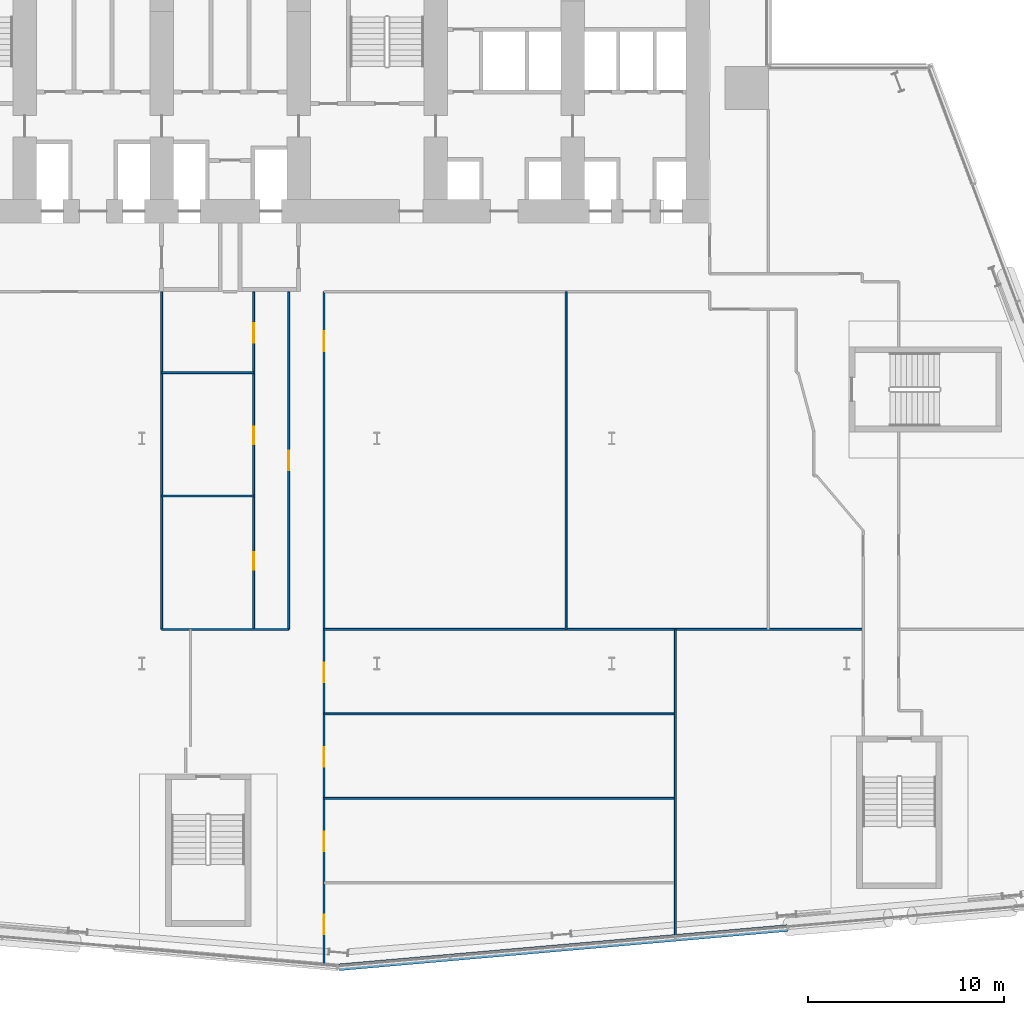
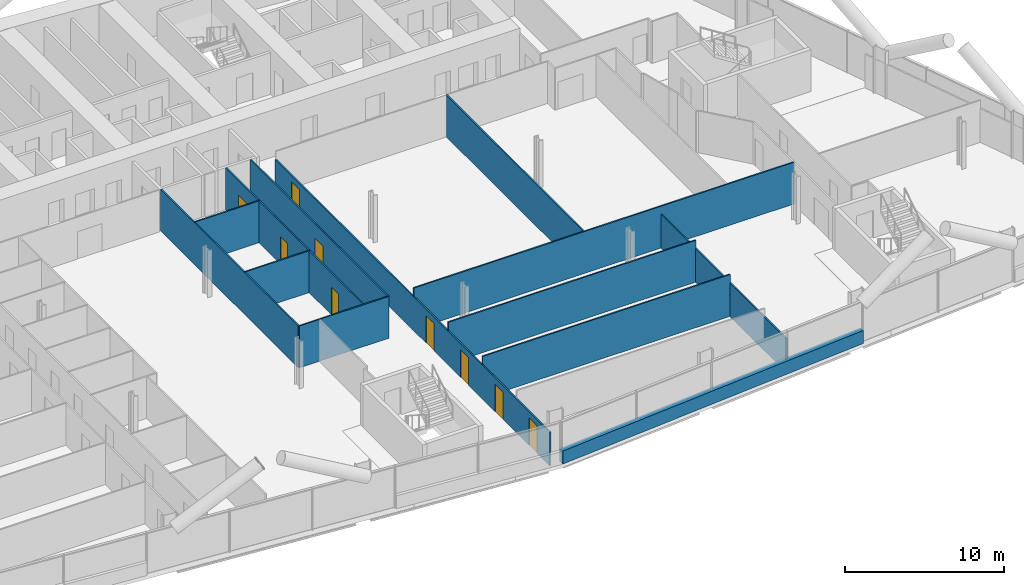
# One storey, part 14 of 27: 13 walls, 9 doors, 9 openings.
"""IFC4 building model written with IfcOpenShell, lengths in metres."""

from ifc_helpers import new_model, si_unit, direction, frame, frame_2d, origin, place, context, subcontext, project, spatial, rectangle, extrude, material, layer, layer_set, type_object, element, fill, save


model = new_model("IFC4")

# Units and contexts
model_context = context("Model", 3, precision=1e-05, world=origin(), true_north=direction((0.0, 1.0)))
body_context = subcontext(model_context, "Body", "Model", "MODEL_VIEW")
ifc_project = project(units=[si_unit("LENGTHUNIT", "METRE"), si_unit("AREAUNIT", "SQUARE_METRE"), si_unit("VOLUMEUNIT", "CUBIC_METRE"), si_unit("PLANEANGLEUNIT", "RADIAN"), si_unit("MASSUNIT", "GRAM", prefix="KILO")], contexts=[model_context])

# Site, building, storey
site_placement = place(None, origin())
site = spatial("IfcSite", under=ifc_project, at=site_placement, CompositionType="ELEMENT")
building_placement = place(site_placement, origin())
building = spatial("IfcBuilding", under=site, at=building_placement, Name="Wharfspan Tower", CompositionType="ELEMENT")
storey_placement = place(building_placement, frame((0.0, 0.0, 73.899902)))
storey = spatial("IfcBuildingStorey", under=building, at=storey_placement, Name="L15", CompositionType="ELEMENT", Elevation=73.899902)

# Walls
ifc_material_1 = material(Name="Gypsum board on steel studs", Category="steel")
ifc_layer_1 = layer(ifc_material_1, 0.100098)
ifc_layer_set_1 = layer_set([ifc_layer_1], Name="Gypsum board on steel studs")
wall_type_1 = type_object("IfcWallType", Name="Compartment wall 100 EI 60", PredefinedType="PARTITIONING", material=ifc_layer_set_1)
wall_1_placement = place(storey_placement, frame((37.0, 13.235107, 0.0), z_axis=(0.0, 0.0, 1.0), x_axis=(1.0, 0.0, 0.0)))
element("IfcWall", 1, at=wall_1_placement, inside=storey, type_object=wall_type_1, Name="Partition L15.w032", PredefinedType="PARTITIONING", context=body_context, shape_type="SweptSolid", body=[
    extrude(rectangle(XDim=6.48999, YDim=0.100098, at=frame_2d((3.245117, 0.0))), origin(), (0.0, 0.0, 1.0), 3.200195),
])
wall_2_placement = place(storey_placement, frame((37.0, 13.23999, 0.0), z_axis=(0.0, 0.0, 1.0), x_axis=(0.0, 1.0, 0.0)))
element("IfcWall", 2, at=wall_2_placement, inside=storey, type_object=wall_type_1, Name="Partition L15.w033", PredefinedType="PARTITIONING", context=body_context, shape_type="SweptSolid", body=[
    extrude(rectangle(XDim=17.26001, YDim=0.100098, at=frame_2d((8.629883, 0.0))), origin(), (0.0, 0.0, 1.0), 3.200195),
])

# Wall, openings, doors
wall_3_placement = place(storey_placement, frame((41.699951, 13.23999, 0.0), z_axis=(0.0, 0.0, 1.0), x_axis=(0.0, 1.0, 0.0)))
wall_3 = element("IfcWall", 3, at=wall_3_placement, inside=storey, type_object=wall_type_1, Name="Partition L15.w038", PredefinedType="PARTITIONING", context=body_context, shape_type="SweptSolid", body=[
    extrude(rectangle(XDim=17.25, YDim=0.100098, at=frame_2d((8.625, 0.0))), origin(), (0.0, 0.0, 1.0), 3.200195),
])
opening_1_placement = place(wall_3_placement, frame((3.045898, 0.0, 0.0)))
opening_1 = element("IfcOpeningElement", 4, at=opening_1_placement, cuts=wall_3, Name="Opening A4-15", PredefinedType="OPENING", context=body_context, shape_type="SweptSolid", body=[
    extrude(rectangle(XDim=0.899902, YDim=2.100098, at=frame_2d((0.449951, 1.050049))), frame((0.0, 0.060059, 0.0), z_axis=(0.0, -1.0, 0.0), x_axis=(1.0, 0.0, 0.0)), (0.0, 0.0, 1.0), 0.120117),
])
opening_2_placement = place(wall_3_placement, frame((9.465088, 0.0, 0.0)))
opening_2 = element("IfcOpeningElement", 5, at=opening_2_placement, cuts=wall_3, Name="Opening A4-22", PredefinedType="OPENING", context=body_context, shape_type="SweptSolid", body=[
    extrude(rectangle(XDim=0.899902, YDim=2.100098, at=frame_2d((0.449951, 1.050049))), frame((0.0, 0.060059, 0.0), z_axis=(0.0, -1.0, 0.0), x_axis=(1.0, 0.0, 0.0)), (0.0, 0.0, 1.0), 0.120117),
])
opening_3_placement = place(wall_3_placement, frame((14.640381, 0.0, 0.0)))
opening_3 = element("IfcOpeningElement", 6, at=opening_3_placement, cuts=wall_3, Name="Opening A4-27", PredefinedType="OPENING", context=body_context, shape_type="SweptSolid", body=[
    extrude(rectangle(XDim=1.0, YDim=2.100098, at=frame_2d((0.5, 1.050049))), frame((0.0, 0.060059, 0.0), z_axis=(0.0, -1.0, 0.0), x_axis=(1.0, 0.0, 0.0)), (0.0, 0.0, 1.0), 0.120117),
])
ifc_material_2 = material(Name="Timber door leaf in steel frame", Category="steel")
door_type_1 = type_object("IfcDoorType", Name="Door 1000 NOT RATED Right", OperationType="SINGLE_SWING_RIGHT", PredefinedType="DOOR", material=ifc_material_2)
door_1_placement = place(opening_3_placement, origin())
door_1 = element("IfcDoor", 7, at=door_1_placement, inside=storey, type_object=door_type_1, Name="Door A4-27", OperationType="SINGLE_SWING_RIGHT", OverallHeight=2.100098, OverallWidth=1.0, PredefinedType="DOOR", context=body_context, shape_type="SweptSolid", body=[
    extrude(rectangle(XDim=1.0, YDim=2.100098, at=frame_2d((0.5, 1.050049))), frame((0.0, 0.024902, 0.0), z_axis=(0.0, -1.0, 0.0), x_axis=(1.0, 0.0, 0.0)), (0.0, 0.0, 1.0), 0.050049),
])
fill(opening_3, door_1)
door_type_2 = type_object("IfcDoorType", Name="Door 900 NOT RATED Left", OperationType="SINGLE_SWING_LEFT", PredefinedType="DOOR", material=ifc_material_2)
door_2_placement = place(opening_1_placement, origin())
door_2 = element("IfcDoor", 8, at=door_2_placement, inside=storey, type_object=door_type_2, Name="Door A4-15", OperationType="SINGLE_SWING_LEFT", OverallHeight=2.100098, OverallWidth=0.899902, PredefinedType="DOOR", context=body_context, shape_type="SweptSolid", body=[
    extrude(rectangle(XDim=0.899902, YDim=2.100098, at=frame_2d((0.449951, 1.050049))), frame((0.0, 0.024902, 0.0), z_axis=(0.0, -1.0, 0.0), x_axis=(1.0, 0.0, 0.0)), (0.0, 0.0, 1.0), 0.050049),
])
fill(opening_1, door_2)
door_type_3 = type_object("IfcDoorType", Name="Door 900 NOT RATED Right", OperationType="SINGLE_SWING_RIGHT", PredefinedType="DOOR", material=ifc_material_2)
door_3_placement = place(opening_2_placement, origin())
door_3 = element("IfcDoor", 9, at=door_3_placement, inside=storey, type_object=door_type_3, Name="Door A4-22", OperationType="SINGLE_SWING_RIGHT", OverallHeight=2.100098, OverallWidth=0.899902, PredefinedType="DOOR", context=body_context, shape_type="SweptSolid", body=[
    extrude(rectangle(XDim=0.899902, YDim=2.100098, at=frame_2d((0.449951, 1.050049))), frame((0.0, 0.024902, 0.0), z_axis=(0.0, -1.0, 0.0), x_axis=(1.0, 0.0, 0.0)), (0.0, 0.0, 1.0), 0.050049),
])
fill(opening_2, door_3)

# Wall, opening, door
wall_4_placement = place(storey_placement, frame((43.48999, 13.23999, 0.0), z_axis=(0.0, 0.0, 1.0), x_axis=(0.0, 1.0, 0.0)))
wall_4 = element("IfcWall", 10, at=wall_4_placement, inside=storey, type_object=wall_type_1, Name="Partition L15.w039", PredefinedType="PARTITIONING", context=body_context, shape_type="SweptSolid", body=[
    extrude(rectangle(XDim=17.25, YDim=0.100098, at=frame_2d((8.625, 0.0))), origin(), (0.0, 0.0, 1.0), 3.200195),
])
opening_4_placement = place(wall_4_placement, frame((8.139404, 0.0, 0.0)))
opening_4 = element("IfcOpeningElement", 11, at=opening_4_placement, cuts=wall_4, Name="Opening A4-21", PredefinedType="OPENING", context=body_context, shape_type="SweptSolid", body=[
    extrude(rectangle(XDim=1.0, YDim=2.100098, at=frame_2d((0.5, 1.050049))), frame((0.0, 0.060059, 0.0), z_axis=(0.0, -1.0, 0.0), x_axis=(1.0, 0.0, 0.0)), (0.0, 0.0, 1.0), 0.120117),
])
ifc_material_3 = material(Name="Fire-rated timber door leaf in steel frame", Category="steel")
door_type_4 = type_object("IfcDoorType", Name="Door 1000 FD30S Right", OperationType="SINGLE_SWING_RIGHT", PredefinedType="DOOR", material=ifc_material_3)
door_4_placement = place(opening_4_placement, origin())
door_4 = element("IfcDoor", 12, at=door_4_placement, inside=storey, type_object=door_type_4, Name="Door A4-21", OperationType="SINGLE_SWING_RIGHT", OverallHeight=2.100098, OverallWidth=1.0, PredefinedType="DOOR", context=body_context, shape_type="SweptSolid", body=[
    extrude(rectangle(XDim=1.0, YDim=2.100098, at=frame_2d((0.5, 1.050049))), frame((0.0, 0.024902, 0.0), z_axis=(0.0, -1.0, 0.0), x_axis=(1.0, 0.0, 0.0)), (0.0, 0.0, 1.0), 0.050049),
])
fill(opening_4, door_4)

# Wall, openings, doors
wall_5_placement = place(storey_placement, frame((45.300049, -3.943115, 0.0), z_axis=(0.0, 0.0, 1.0), x_axis=(0.0, 1.0, 0.0)))
wall_5 = element("IfcWall", 13, at=wall_5_placement, inside=storey, type_object=wall_type_1, Name="Partition L15.w040", PredefinedType="PARTITIONING", context=body_context, shape_type="SweptSolid", body=[
    extrude(rectangle(XDim=34.443115, YDim=0.100098, at=frame_2d((17.22168, 0.0))), origin(), (0.0, 0.0, 1.0), 2.580078),
])
opening_5_placement = place(wall_5_placement, frame((1.598145, 0.0, 0.0)))
opening_5 = element("IfcOpeningElement", 14, at=opening_5_placement, cuts=wall_5, Name="Opening A4-01", PredefinedType="OPENING", context=body_context, shape_type="SweptSolid", body=[
    extrude(rectangle(XDim=1.0, YDim=2.100098, at=frame_2d((0.5, 1.050049))), frame((0.0, 0.060059, 0.0), z_axis=(0.0, -1.0, 0.0), x_axis=(1.0, 0.0, 0.0)), (0.0, 0.0, 1.0), 0.120117),
])
opening_6_placement = place(wall_5_placement, frame((5.853271, 0.0, 0.0)))
opening_6 = element("IfcOpeningElement", 15, at=opening_6_placement, cuts=wall_5, Name="Opening A4-04", PredefinedType="OPENING", context=body_context, shape_type="SweptSolid", body=[
    extrude(rectangle(XDim=1.0, YDim=2.100098, at=frame_2d((0.5, 1.050049))), frame((0.0, 0.060059, 0.0), z_axis=(0.0, -1.0, 0.0), x_axis=(1.0, 0.0, 0.0)), (0.0, 0.0, 1.0), 0.120117),
])
opening_7_placement = place(wall_5_placement, frame((10.173096, 0.0, 0.0)))
opening_7 = element("IfcOpeningElement", 16, at=opening_7_placement, cuts=wall_5, Name="Opening A4-07", PredefinedType="OPENING", context=body_context, shape_type="SweptSolid", body=[
    extrude(rectangle(XDim=1.0, YDim=2.100098, at=frame_2d((0.5, 1.050049))), frame((0.0, 0.060059, 0.0), z_axis=(0.0, -1.0, 0.0), x_axis=(1.0, 0.0, 0.0)), (0.0, 0.0, 1.0), 0.120117),
])
opening_8_placement = place(wall_5_placement, frame((14.488281, 0.0, 0.0)))
opening_8 = element("IfcOpeningElement", 17, at=opening_8_placement, cuts=wall_5, Name="Opening A4-11", PredefinedType="OPENING", context=body_context, shape_type="SweptSolid", body=[
    extrude(rectangle(XDim=1.0, YDim=2.100098, at=frame_2d((0.5, 1.050049))), frame((0.0, 0.060059, 0.0), z_axis=(0.0, -1.0, 0.0), x_axis=(1.0, 0.0, 0.0)), (0.0, 0.0, 1.0), 0.120117),
])
opening_9_placement = place(wall_5_placement, frame((31.40332, 0.0, 0.0)))
opening_9 = element("IfcOpeningElement", 18, at=opening_9_placement, cuts=wall_5, Name="Opening A4-26", PredefinedType="OPENING", context=body_context, shape_type="SweptSolid", body=[
    extrude(rectangle(XDim=1.0, YDim=2.100098, at=frame_2d((0.5, 1.050049))), frame((0.0, 0.060059, 0.0), z_axis=(0.0, -1.0, 0.0), x_axis=(1.0, 0.0, 0.0)), (0.0, 0.0, 1.0), 0.120117),
])
door_type_5 = type_object("IfcDoorType", Name="Door 1000 FD30S Left", OperationType="SINGLE_SWING_LEFT", PredefinedType="DOOR", material=ifc_material_3)
door_5_placement = place(opening_5_placement, origin())
door_5 = element("IfcDoor", 19, at=door_5_placement, inside=storey, type_object=door_type_5, Name="Door A4-01", OperationType="SINGLE_SWING_LEFT", OverallHeight=2.100098, OverallWidth=1.0, PredefinedType="DOOR", context=body_context, shape_type="SweptSolid", body=[
    extrude(rectangle(XDim=1.0, YDim=2.100098, at=frame_2d((0.5, 1.050049))), frame((0.0, 0.024902, 0.0), z_axis=(0.0, -1.0, 0.0), x_axis=(1.0, 0.0, 0.0)), (0.0, 0.0, 1.0), 0.050049),
])
fill(opening_5, door_5)
door_6_placement = place(opening_6_placement, origin())
door_6 = element("IfcDoor", 20, at=door_6_placement, inside=storey, type_object=door_type_5, Name="Door A4-04", OperationType="SINGLE_SWING_LEFT", OverallHeight=2.100098, OverallWidth=1.0, PredefinedType="DOOR", context=body_context, shape_type="SweptSolid", body=[
    extrude(rectangle(XDim=1.0, YDim=2.100098, at=frame_2d((0.5, 1.050049))), frame((0.0, 0.024902, 0.0), z_axis=(0.0, -1.0, 0.0), x_axis=(1.0, 0.0, 0.0)), (0.0, 0.0, 1.0), 0.050049),
])
fill(opening_6, door_6)
door_7_placement = place(opening_7_placement, origin())
door_7 = element("IfcDoor", 21, at=door_7_placement, inside=storey, type_object=door_type_5, Name="Door A4-07", OperationType="SINGLE_SWING_LEFT", OverallHeight=2.100098, OverallWidth=1.0, PredefinedType="DOOR", context=body_context, shape_type="SweptSolid", body=[
    extrude(rectangle(XDim=1.0, YDim=2.100098, at=frame_2d((0.5, 1.050049))), frame((0.0, 0.024902, 0.0), z_axis=(0.0, -1.0, 0.0), x_axis=(1.0, 0.0, 0.0)), (0.0, 0.0, 1.0), 0.050049),
])
fill(opening_7, door_7)
door_8_placement = place(opening_8_placement, origin())
door_8 = element("IfcDoor", 22, at=door_8_placement, inside=storey, type_object=door_type_5, Name="Door A4-11", OperationType="SINGLE_SWING_LEFT", OverallHeight=2.100098, OverallWidth=1.0, PredefinedType="DOOR", context=body_context, shape_type="SweptSolid", body=[
    extrude(rectangle(XDim=1.0, YDim=2.100098, at=frame_2d((0.5, 1.050049))), frame((0.0, 0.024902, 0.0), z_axis=(0.0, -1.0, 0.0), x_axis=(1.0, 0.0, 0.0)), (0.0, 0.0, 1.0), 0.050049),
])
fill(opening_8, door_8)
door_9_placement = place(opening_9_placement, origin())
door_9 = element("IfcDoor", 23, at=door_9_placement, inside=storey, type_object=door_type_4, Name="Door A4-26", OperationType="SINGLE_SWING_RIGHT", OverallHeight=2.100098, OverallWidth=1.0, PredefinedType="DOOR", context=body_context, shape_type="SweptSolid", body=[
    extrude(rectangle(XDim=1.0, YDim=2.100098, at=frame_2d((0.5, 1.050049))), frame((0.0, 0.024902, 0.0), z_axis=(0.0, -1.0, 0.0), x_axis=(1.0, 0.0, 0.0)), (0.0, 0.0, 1.0), 0.050049),
])
fill(opening_9, door_9)

# Walls
for number, where, z_axis, x_axis, name in (
    (24, (45.300049, 4.60498, 0.0), (0.0, 0.0, 1.0), (1.0, 0.0, 0.0), "Partition L15.w042"),
    (25, (45.300049, 8.919922, 0.0), (0.0, 0.0, 1.0), (1.0, 0.0, 0.0), "Partition L15.w043"),
):
    element("IfcWall", number, at=place(storey_placement, frame(where, z_axis=z_axis, x_axis=x_axis)), inside=storey, type_object=wall_type_1, Name=name, PredefinedType="PARTITIONING", context=body_context, shape_type="SweptSolid", body=[
        extrude(rectangle(XDim=17.949951, YDim=0.100098, at=frame_2d((8.975098, 0.0))), origin(), (0.0, 0.0, 1.0), 3.200195),
    ])
wall_6_placement = place(storey_placement, frame((45.300049, 13.23999, 0.0), z_axis=(0.0, 0.0, 1.0), x_axis=(1.0, 0.0, 0.0)))
element("IfcWall", 26, at=wall_6_placement, inside=storey, type_object=wall_type_1, Name="Partition L15.w044", PredefinedType="PARTITIONING", context=body_context, shape_type="SweptSolid", body=[
    extrude(rectangle(XDim=27.560059, YDim=0.100098, at=frame_2d((13.780029, 0.0))), origin(), (0.0, 0.0, 1.0), 3.200195),
])
wall_7_placement = place(storey_placement, frame((57.669922, 13.23999, 0.0), z_axis=(0.0, 0.0, 1.0), x_axis=(0.0, 1.0, 0.0)))
element("IfcWall", 27, at=wall_7_placement, inside=storey, type_object=wall_type_1, Name="Partition L15.w046", PredefinedType="PARTITIONING", context=body_context, shape_type="SweptSolid", body=[
    extrude(rectangle(XDim=17.26001, YDim=0.100098, at=frame_2d((8.629883, 0.0))), origin(), (0.0, 0.0, 1.0), 3.200195),
])
ifc_layer_2 = layer(ifc_material_1, 0.100098)
ifc_layer_set_2 = layer_set([ifc_layer_2], Name="Gypsum board on steel studs")
wall_type_2 = type_object("IfcWallType", Name="Partition 100", PredefinedType="PARTITIONING", material=ifc_layer_set_2)
for number, where, z_axis, x_axis, name in (
    (28, (37.0, 20.054932, 0.0), (0.0, 0.0, 1.0), (1.0, 0.0, 0.0), "Partition L15.w034"),
    (29, (37.0, 26.35498, 0.0), (0.0, 0.0, 1.0), (1.0, 0.0, 0.0), "Partition L15.w035"),
):
    element("IfcWall", number, at=place(storey_placement, frame(where, z_axis=z_axis, x_axis=x_axis)), inside=storey, type_object=wall_type_2, Name=name, PredefinedType="PARTITIONING", context=body_context, shape_type="SweptSolid", body=[
        extrude(rectangle(XDim=4.699951, YDim=0.100098, at=frame_2d((2.350098, 0.0))), origin(), (0.0, 0.0, 1.0), 3.200195),
    ])
wall_8_placement = place(storey_placement, frame((63.25, -2.495117, 0.0), z_axis=(0.0, 0.0, 1.0), x_axis=(0.0, 1.0, 0.0)))
element("IfcWall", 30, at=wall_8_placement, inside=storey, type_object=wall_type_2, Name="Partition L15.w047", PredefinedType="PARTITIONING", context=body_context, shape_type="SweptSolid", body=[
    extrude(rectangle(XDim=15.735107, YDim=0.100098, at=frame_2d((7.867676, 0.0))), origin(), (0.0, 0.0, 1.0), 2.580078),
])
ifc_material_4 = material(Name="Concrete C40/50", Category="concrete")
ifc_layer_3 = layer(ifc_material_4, 0.350098)
ifc_layer_set_3 = layer_set([ifc_layer_3], Name="Concrete C40/50")
wall_type_3 = type_object("IfcWallType", Name="SPANDREL EXPOSED CONCRETE 350", PredefinedType="SOLIDWALL", material=ifc_layer_set_3)
wall_9_placement = place(storey_placement, frame((46.04541, -4.025635, 0.0), z_axis=(0.0, 0.0, 1.0), x_axis=(0.99619, 0.087163, 0.0)))
element("IfcWall", 31, at=wall_9_placement, inside=storey, type_object=wall_type_3, Name="Spandrel upstand L15 S2 1", PredefinedType="SOLIDWALL", context=body_context, shape_type="SweptSolid", body=[
    extrude(rectangle(XDim=23.012695, YDim=0.350098, at=frame_2d((11.506348, 0.0))), origin(), (0.0, 0.0, 1.0), 1.0),
])

save(model, "model.ifc")
